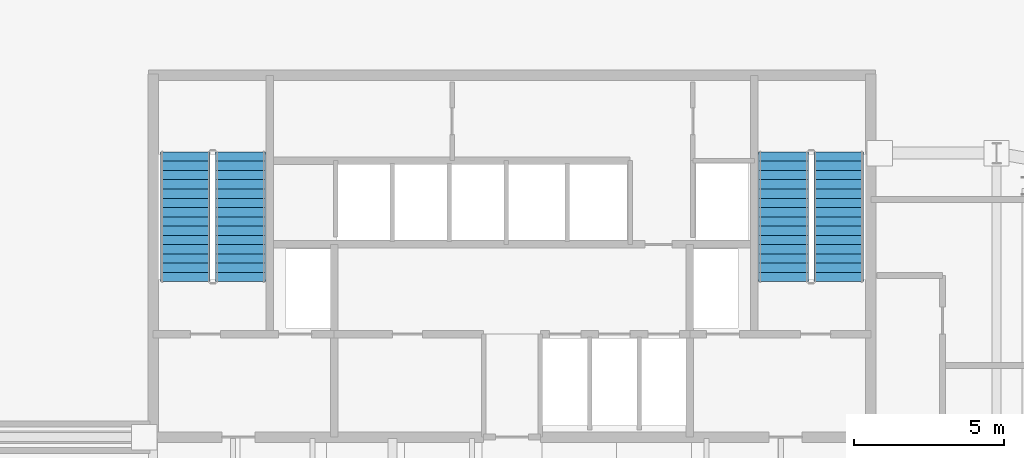
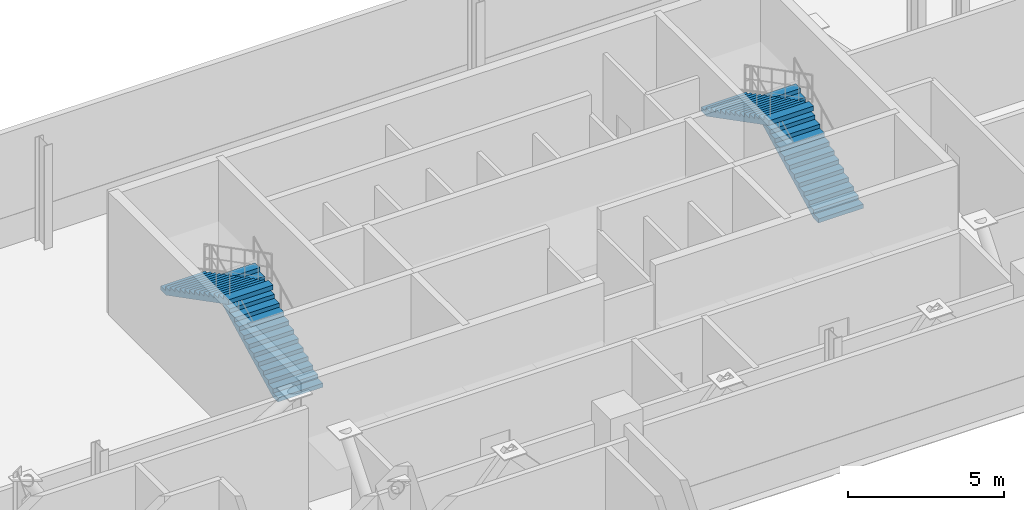
# One storey, part 6 of 9: 4 stair flights, 2 elements without a shape of their own.
"""IFC4 building model written with IfcOpenShell, lengths in metres."""

from ifc_helpers import new_model, si_unit, direction, frame, origin, place, context, subcontext, project, spatial, polyline, outline, extrude, material, type_object, element, aggregate, save


model = new_model("IFC4")

# Units and contexts
model_context = context("Model", 3, precision=1e-05, world=origin(), true_north=direction((0.0, 1.0)))
body_context = subcontext(model_context, "Body", "Model", "MODEL_VIEW")
ifc_project = project(units=[si_unit("LENGTHUNIT", "METRE"), si_unit("AREAUNIT", "SQUARE_METRE"), si_unit("VOLUMEUNIT", "CUBIC_METRE"), si_unit("PLANEANGLEUNIT", "RADIAN"), si_unit("MASSUNIT", "GRAM", prefix="KILO")], contexts=[model_context])

# Site, building, storey
site_placement = place(None, origin())
site = spatial("IfcSite", under=ifc_project, at=site_placement, CompositionType="ELEMENT")
building_placement = place(site_placement, origin())
building = spatial("IfcBuilding", under=site, at=building_placement, Name="Catumbela Crestline Tower", CompositionType="ELEMENT")
storey_placement = place(building_placement, frame((0.0, 0.0, 144.0)))
storey = spatial("IfcBuildingStorey", under=building, at=storey_placement, Name="L37", CompositionType="ELEMENT", Elevation=144.0)

# Stair, stair flights
ifc_material = material(Name="Concrete C45/55", Category="concrete")
stair_type = type_object("IfcStairType", Name="ST-DLG", PredefinedType="HALF_TURN_STAIR", material=ifc_material)
stair_1_placement = place(storey_placement, origin())
stair_1 = element("IfcStair", 1, at=stair_1_placement, inside=storey, type_object=stair_type, Name="L37 West Core Pressurised Exit Stair ST-01", PredefinedType="HALF_TURN_STAIR")
stair_flight_type = type_object("IfcStairFlightType", Name="SF-1600", PredefinedType="STRAIGHT", material=ifc_material)
stair_flight_1_placement = place(storey_placement, frame((18.92, 36.0, 0.0), z_axis=(0.0, 0.0, 1.0), x_axis=(0.0, 1.0, 0.0)))
stair_flight_1 = element("IfcStairFlight", 2, at=stair_flight_1_placement, type_object=stair_flight_type, Name="ST-01 flight 1", NumberOfRisers=15, NumberOfTreads=14, PredefinedType="STRAIGHT", RiserHeight=0.16, TreadLength=0.31, context=body_context, shape_type="SweptSolid", body=[
    extrude(outline(polyline([(0.0, 0.0), (0.0, 0.16), (0.31, 0.16), (0.31, 0.32), (0.62, 0.32), (0.62, 0.48), (0.93, 0.48), (0.93, 0.64), (1.24, 0.64), (1.24, 0.8), (1.55, 0.8), (1.55, 0.96), (1.86, 0.96), (1.86, 1.12), (2.17, 1.12), (2.17, 1.28), (2.48, 1.28), (2.48, 1.44), (2.79, 1.44), (2.79, 1.6), (3.1, 1.6), (3.1, 1.76), (3.41, 1.76), (3.41, 1.92), (3.72, 1.92), (3.72, 2.08), (4.03, 2.08), (4.03, 2.24), (4.34, 2.24), (4.34, 2.4), (4.34, 2.0599), (0.3489, 0.0), (0.0, 0.0)])), frame((0.0, 0.83, 0.0), z_axis=(0.0, -1.0, 0.0), x_axis=(1.0, 0.0, 0.0)), (0.0, 0.0, 1.0), 1.66),
])
stair_flight_2_placement = place(storey_placement, frame((17.08, 40.34, 2.4), z_axis=(0.0, 0.0, 1.0), x_axis=(0.0, -1.0, 0.0)))
stair_flight_2 = element("IfcStairFlight", 3, at=stair_flight_2_placement, type_object=stair_flight_type, Name="ST-01 flight 2", NumberOfRisers=15, NumberOfTreads=14, PredefinedType="STRAIGHT", RiserHeight=0.16, TreadLength=0.31, context=body_context, shape_type="SweptSolid", body=[
    extrude(outline(polyline([(0.0, 0.0), (0.0, 0.16), (0.31, 0.16), (0.31, 0.32), (0.62, 0.32), (0.62, 0.48), (0.93, 0.48), (0.93, 0.64), (1.24, 0.64), (1.24, 0.8), (1.55, 0.8), (1.55, 0.96), (1.86, 0.96), (1.86, 1.12), (2.17, 1.12), (2.17, 1.28), (2.48, 1.28), (2.48, 1.44), (2.79, 1.44), (2.79, 1.6), (3.1, 1.6), (3.1, 1.76), (3.41, 1.76), (3.41, 1.92), (3.72, 1.92), (3.72, 2.08), (4.03, 2.08), (4.03, 2.24), (4.34, 2.24), (4.34, 2.4), (4.34, 2.0599), (0.3489, 0.0), (0.0, 0.0)])), frame((0.0, 0.83, 0.0), z_axis=(0.0, -1.0, 0.0), x_axis=(1.0, 0.0, 0.0)), (0.0, 0.0, 1.0), 1.66),
])
aggregate(stair_1, [stair_flight_1, stair_flight_2])

stair_2_placement = place(storey_placement, origin())
stair_2 = element("IfcStair", 4, at=stair_2_placement, inside=storey, type_object=stair_type, Name="L37 East Core Pressurised Exit Stair ST-02", PredefinedType="HALF_TURN_STAIR")
stair_flight_3_placement = place(storey_placement, frame((38.92, 36.0, 0.0), z_axis=(0.0, 0.0, 1.0), x_axis=(0.0, 1.0, 0.0)))
stair_flight_3 = element("IfcStairFlight", 5, at=stair_flight_3_placement, type_object=stair_flight_type, Name="ST-02 flight 1", NumberOfRisers=15, NumberOfTreads=14, PredefinedType="STRAIGHT", RiserHeight=0.16, TreadLength=0.31, context=body_context, shape_type="SweptSolid", body=[
    extrude(outline(polyline([(0.0, 0.0), (0.0, 0.16), (0.31, 0.16), (0.31, 0.32), (0.62, 0.32), (0.62, 0.48), (0.93, 0.48), (0.93, 0.64), (1.24, 0.64), (1.24, 0.8), (1.55, 0.8), (1.55, 0.96), (1.86, 0.96), (1.86, 1.12), (2.17, 1.12), (2.17, 1.28), (2.48, 1.28), (2.48, 1.44), (2.79, 1.44), (2.79, 1.6), (3.1, 1.6), (3.1, 1.76), (3.41, 1.76), (3.41, 1.92), (3.72, 1.92), (3.72, 2.08), (4.03, 2.08), (4.03, 2.24), (4.34, 2.24), (4.34, 2.4), (4.34, 2.0599), (0.3489, 0.0), (0.0, 0.0)])), frame((0.0, 0.83, 0.0), z_axis=(0.0, -1.0, 0.0), x_axis=(1.0, 0.0, 0.0)), (0.0, 0.0, 1.0), 1.66),
])
stair_flight_4_placement = place(storey_placement, frame((37.08, 40.34, 2.4), z_axis=(0.0, 0.0, 1.0), x_axis=(0.0, -1.0, 0.0)))
stair_flight_4 = element("IfcStairFlight", 6, at=stair_flight_4_placement, type_object=stair_flight_type, Name="ST-02 flight 2", NumberOfRisers=15, NumberOfTreads=14, PredefinedType="STRAIGHT", RiserHeight=0.16, TreadLength=0.31, context=body_context, shape_type="SweptSolid", body=[
    extrude(outline(polyline([(0.0, 0.0), (0.0, 0.16), (0.31, 0.16), (0.31, 0.32), (0.62, 0.32), (0.62, 0.48), (0.93, 0.48), (0.93, 0.64), (1.24, 0.64), (1.24, 0.8), (1.55, 0.8), (1.55, 0.96), (1.86, 0.96), (1.86, 1.12), (2.17, 1.12), (2.17, 1.28), (2.48, 1.28), (2.48, 1.44), (2.79, 1.44), (2.79, 1.6), (3.1, 1.6), (3.1, 1.76), (3.41, 1.76), (3.41, 1.92), (3.72, 1.92), (3.72, 2.08), (4.03, 2.08), (4.03, 2.24), (4.34, 2.24), (4.34, 2.4), (4.34, 2.0599), (0.3489, 0.0), (0.0, 0.0)])), frame((0.0, 0.83, 0.0), z_axis=(0.0, -1.0, 0.0), x_axis=(1.0, 0.0, 0.0)), (0.0, 0.0, 1.0), 1.66),
])
aggregate(stair_2, [stair_flight_3, stair_flight_4])

save(model, "model.ifc")
